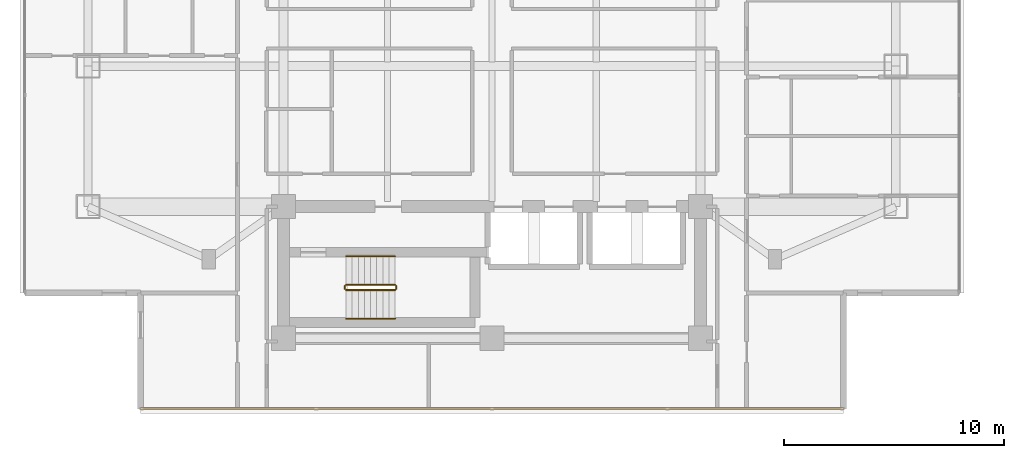
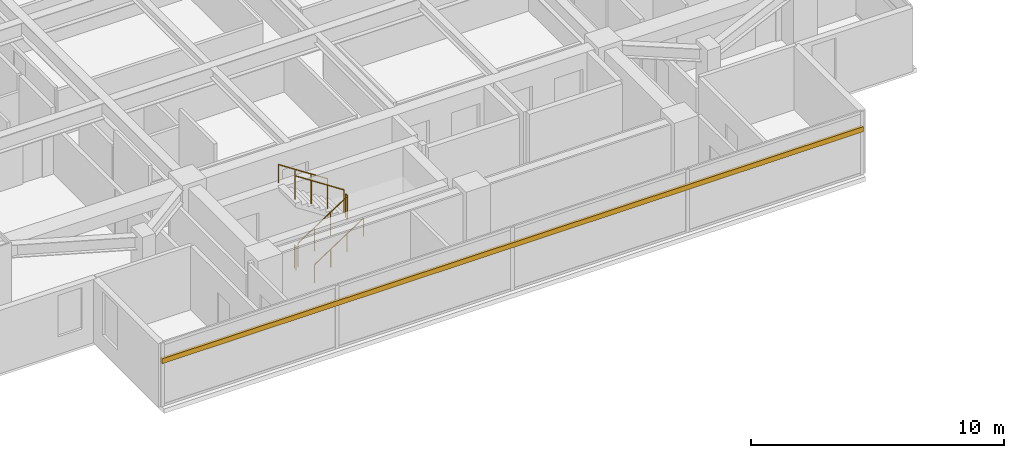
# One storey, part 19 of 24: 6 railings, 1 shading device.
"""IFC4 building model written with IfcOpenShell, lengths in metres."""

from ifc_helpers import new_model, si_unit, direction, frame, origin, origin_2d, place, context, subcontext, project, spatial, rectangle, circle, extrude, material, material_profile, profile_set, type_object, element, save


model = new_model("IFC4")

# Units and contexts
model_context = context("Model", 3, precision=1e-05, world=origin(), true_north=direction((0.0, 1.0)))
body_context = subcontext(model_context, "Body", "Model", "MODEL_VIEW")
ifc_project = project(units=[si_unit("LENGTHUNIT", "METRE"), si_unit("AREAUNIT", "SQUARE_METRE"), si_unit("VOLUMEUNIT", "CUBIC_METRE"), si_unit("PLANEANGLEUNIT", "RADIAN"), si_unit("MASSUNIT", "GRAM", prefix="KILO")], contexts=[model_context])

# Site, building, storey
site_placement = place(None, origin())
site = spatial("IfcSite", under=ifc_project, at=site_placement, CompositionType="ELEMENT")
building_placement = place(site_placement, origin())
building = spatial("IfcBuilding", under=site, at=building_placement, Name="Mirazonda Arch Towers", CompositionType="ELEMENT")
storey_placement = place(building_placement, frame((0.0, 0.0, 134.60009765625)))
storey = spatial("IfcBuildingStorey", under=building, at=storey_placement, Name="L38", CompositionType="ELEMENT", Elevation=134.60009765625)

# Shading device
ifc_material_1 = material(Name="Kiln-Fired Architectural Terracotta", Category="masonry")
ifc_material_profile = material_profile(ifc_material_1, rectangle(XDim=0.1201171875, YDim=0.239990234375, at=origin_2d()), Name="TERRA-BAG-120x240")
ifc_profile_set = profile_set([ifc_material_profile], Name="Kiln-Fired Architectural Terracotta")
shading_device_type = type_object("IfcShadingDeviceType", Name="BAGUETTE-1", PredefinedType="USERDEFINED", material=ifc_profile_set)
shading_device_placement = place(storey_placement, frame((36.510009765625, 9.18994140625, 2.203125), z_axis=(-1.0, 0.0, 0.0), x_axis=(0.0, -1.0, 0.0)))
element("IfcShadingDevice", 1, at=shading_device_placement, inside=storey, type_object=shading_device_type, Name="L38 Glazed Terracotta Sun-Screen Baguette CW-L38-T1-S", ObjectType="BAGUETTE", PredefinedType="USERDEFINED", context=body_context, shape_type="SweptSolid", body=[
    extrude(rectangle(XDim=0.1201171875, YDim=0.239990234375, at=origin_2d()), origin(), (0.0, 0.0, 1.0), 32.02001953125),
])

# Railings
ifc_material_2 = material(Name="Architectural Brushed Steel S355", Category="steel")
railing_type_1 = type_object("IfcRailingType", Name="GUARD-STAIR-1120", PredefinedType="GUARDRAIL", material=ifc_material_2)
railing_1_placement = place(storey_placement, frame((13.85009765625, 14.60009765625, 0.183349609375)))
element("IfcRailing", 2, at=railing_1_placement, inside=storey, type_object=railing_type_1, Name="L38 ST-T1S stair guard 1", PredefinedType="GUARDRAIL", context=body_context, shape_type="SweptSolid", body=[
    extrude(circle(Radius=0.02392578125, at=origin_2d()), frame((0.0, 0.0, 1.1259765625), z_axis=(0.836636935527, 0.0, 0.547757827979), x_axis=(0.0, 1.0, 0.0)), (0.0, 0.0, 1.0), 2.677490234375),
    extrude(circle(Radius=0.02099609375, at=origin_2d()), origin(), (0.0, 0.0, 1.0), 1.101806640625),
    extrude(circle(Radius=0.02099609375, at=origin_2d()), frame((0.74658203125, 0.0, 0.48876953125)), (0.0, 0.0, 1.0), 1.101806640625),
    extrude(circle(Radius=0.02099609375, at=origin_2d()), frame((1.493408203125, 0.0, 0.977783203125)), (0.0, 0.0, 1.0), 1.101806640625),
    extrude(circle(Radius=0.02099609375, at=origin_2d()), frame((2.239990234375, 0.0, 1.466552734375)), (0.0, 0.0, 1.0), 1.101806640625),
])
railing_2_placement = place(storey_placement, frame((16.139892578125, 14.64990234375, 1.64990234375)))
element("IfcRailing", 3, at=railing_2_placement, inside=storey, type_object=railing_type_1, Name="L38 ST-T1S stair guard 2", PredefinedType="GUARDRAIL", context=body_context, shape_type="SweptSolid", body=[
    extrude(circle(Radius=0.02392578125, at=origin_2d()), frame((0.0, 0.0, 1.1259765625), z_axis=(0.0, 1.0, 0.0), x_axis=(-1.0, 0.0, 0.0)), (0.0, 0.0, 1.0), 0.14013671875),
    extrude(circle(Radius=0.02099609375, at=origin_2d()), origin(), (0.0, 0.0, 1.0), 1.101806640625),
    extrude(circle(Radius=0.02099609375, at=origin_2d()), frame((0.0, 0.14013671875, 0.0)), (0.0, 0.0, 1.0), 1.101806640625),
])
railing_3_placement = place(storey_placement, frame((16.090087890625, 14.840087890625, 1.833251953125)))
element("IfcRailing", 4, at=railing_3_placement, inside=storey, type_object=railing_type_1, Name="L38 ST-T1S stair guard 3", PredefinedType="GUARDRAIL", context=body_context, shape_type="SweptSolid", body=[
    extrude(circle(Radius=0.02392578125, at=origin_2d()), frame((0.0, 0.0, 1.1259765625), z_axis=(-0.836636935527, 0.0, 0.547757827979), x_axis=(0.0, -1.0, 0.0)), (0.0, 0.0, 1.0), 2.677490234375),
    extrude(circle(Radius=0.02099609375, at=origin_2d()), origin(), (0.0, 0.0, 1.0), 1.101806640625),
    extrude(circle(Radius=0.02099609375, at=origin_2d()), frame((-0.74658203125, 0.0, 0.48876953125)), (0.0, 0.0, 1.0), 1.101806640625),
    extrude(circle(Radius=0.02099609375, at=origin_2d()), frame((-1.493408203125, 0.0, 0.977783203125)), (0.0, 0.0, 1.0), 1.101806640625),
    extrude(circle(Radius=0.02099609375, at=origin_2d()), frame((-2.239990234375, 0.0, 1.466552734375)), (0.0, 0.0, 1.0), 1.101806640625),
])
railing_4_placement = place(storey_placement, frame((13.800048828125, 14.64990234375, 0.0)))
element("IfcRailing", 5, at=railing_4_placement, inside=storey, type_object=railing_type_1, Name="L38 ST-T1S stair guard 4", PredefinedType="GUARDRAIL", context=body_context, shape_type="SweptSolid", body=[
    extrude(circle(Radius=0.02392578125, at=origin_2d()), frame((0.0, 0.0, 1.1259765625), z_axis=(0.0, 1.0, 0.0), x_axis=(-1.0, 0.0, 0.0)), (0.0, 0.0, 1.0), 0.14013671875),
    extrude(circle(Radius=0.02099609375, at=origin_2d()), origin(), (0.0, 0.0, 1.0), 1.101806640625),
    extrude(circle(Radius=0.02099609375, at=origin_2d()), frame((0.0, 0.14013671875, 0.0)), (0.0, 0.0, 1.0), 1.101806640625),
])
railing_type_2 = type_object("IfcRailingType", Name="HANDRAIL-915", PredefinedType="HANDRAIL", material=ifc_material_2)
railing_5_placement = place(storey_placement, frame((13.85009765625, 13.300048828125, 0.183349609375)))
element("IfcRailing", 6, at=railing_5_placement, inside=storey, type_object=railing_type_2, Name="L38 ST-T1S stair handrail 1", PredefinedType="HANDRAIL", context=body_context, shape_type="SweptSolid", body=[
    extrude(circle(Radius=0.02392578125, at=origin_2d()), frame((0.0, 0.0, 0.8759765625), z_axis=(0.836636935527, 0.0, 0.547757827979), x_axis=(0.0, 1.0, 0.0)), (0.0, 0.0, 1.0), 2.677490234375),
    extrude(circle(Radius=0.02099609375, at=origin_2d()), origin(), (0.0, 0.0, 1.0), 0.851806640625),
    extrude(circle(Radius=0.02099609375, at=origin_2d()), frame((0.74658203125, 0.0, 0.48876953125)), (0.0, 0.0, 1.0), 0.851806640625),
    extrude(circle(Radius=0.02099609375, at=origin_2d()), frame((1.493408203125, 0.0, 0.977783203125)), (0.0, 0.0, 1.0), 0.851806640625),
    extrude(circle(Radius=0.02099609375, at=origin_2d()), frame((2.239990234375, 0.0, 1.466552734375)), (0.0, 0.0, 1.0), 0.851806640625),
])
railing_6_placement = place(storey_placement, frame((16.090087890625, 16.139892578125, 1.833251953125)))
element("IfcRailing", 7, at=railing_6_placement, inside=storey, type_object=railing_type_2, Name="L38 ST-T1S stair handrail 2", PredefinedType="HANDRAIL", context=body_context, shape_type="SweptSolid", body=[
    extrude(circle(Radius=0.02392578125, at=origin_2d()), frame((0.0, 0.0, 0.8759765625), z_axis=(-0.836636935527, 0.0, 0.547757827979), x_axis=(0.0, -1.0, 0.0)), (0.0, 0.0, 1.0), 2.677490234375),
    extrude(circle(Radius=0.02099609375, at=origin_2d()), origin(), (0.0, 0.0, 1.0), 0.851806640625),
    extrude(circle(Radius=0.02099609375, at=origin_2d()), frame((-0.74658203125, 0.0, 0.48876953125)), (0.0, 0.0, 1.0), 0.851806640625),
    extrude(circle(Radius=0.02099609375, at=origin_2d()), frame((-1.493408203125, 0.0, 0.977783203125)), (0.0, 0.0, 1.0), 0.851806640625),
    extrude(circle(Radius=0.02099609375, at=origin_2d()), frame((-2.239990234375, 0.0, 1.466552734375)), (0.0, 0.0, 1.0), 0.851806640625),
])

save(model, "model.ifc")
